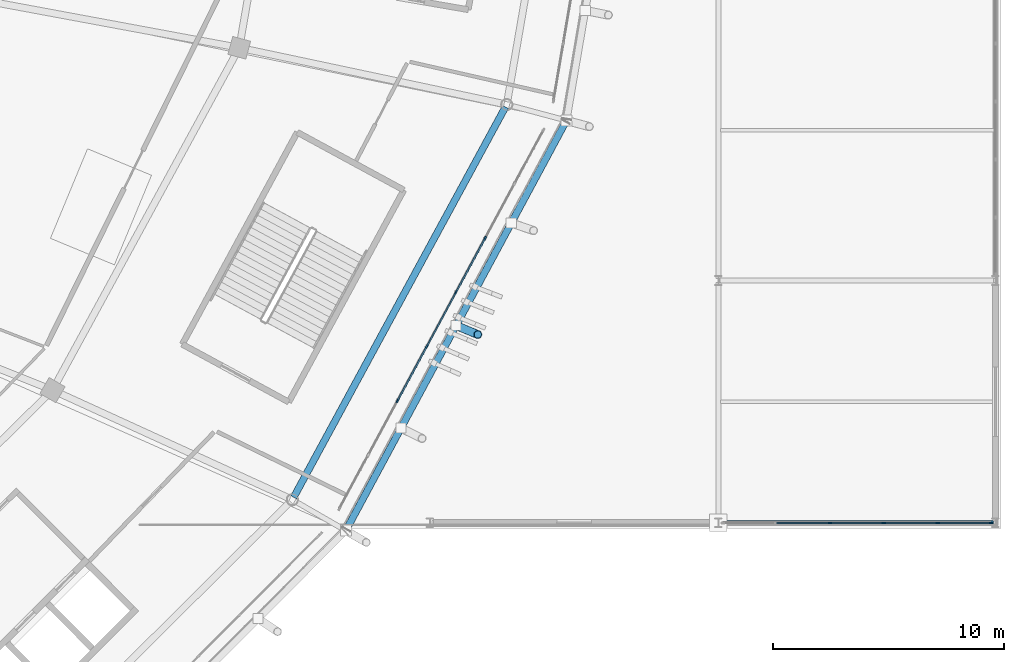
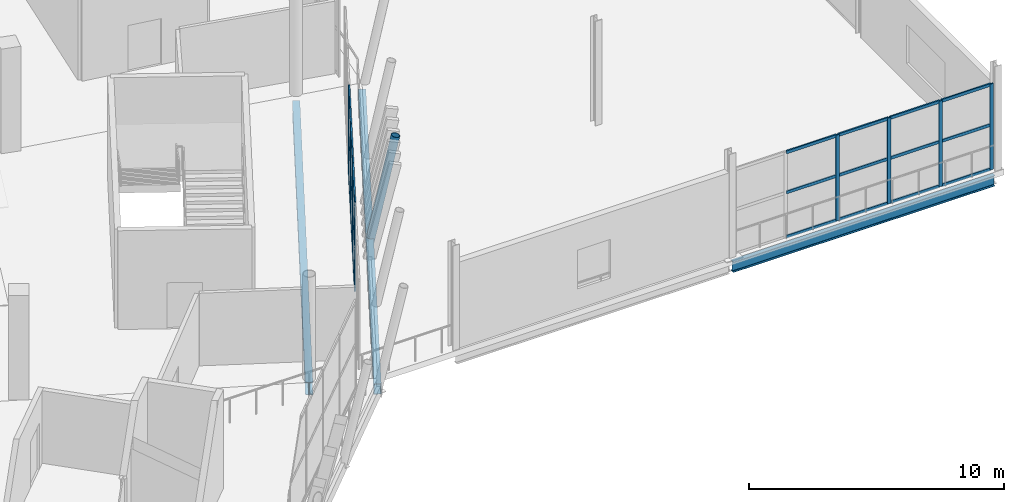
# One storey, part 60 of 179: 30 members, 3 beams, 2 elements without a shape of their own.
"""IFC4 building model written with IfcOpenShell, lengths in metres."""

from ifc_helpers import new_model, si_unit, direction, frame, origin, origin_2d, place, context, subcontext, project, spatial, rectangle, hollow_rectangle, hollow_circle, i_section, extrude, material, material_profile, profile_set, type_object, element, aggregate, save


model = new_model("IFC4")

# Units and contexts
model_context = context("Model", 3, precision=1e-05, world=origin(), true_north=direction((0.0, 1.0)))
body_context = subcontext(model_context, "Body", "Model", "MODEL_VIEW")
ifc_project = project(units=[si_unit("LENGTHUNIT", "METRE"), si_unit("AREAUNIT", "SQUARE_METRE"), si_unit("VOLUMEUNIT", "CUBIC_METRE"), si_unit("PLANEANGLEUNIT", "RADIAN"), si_unit("MASSUNIT", "GRAM", prefix="KILO")], contexts=[model_context])

# Site, building, storey
site_placement = place(None, origin())
site = spatial("IfcSite", under=ifc_project, at=site_placement, CompositionType="ELEMENT")
building_placement = place(site_placement, origin())
building = spatial("IfcBuilding", under=site, at=building_placement, Name="Zlatoyarsky Gate Stadium", CompositionType="ELEMENT")
storey_placement = place(building_placement, frame((0.0, 0.0, 10.60009765625)))
storey = spatial("IfcBuildingStorey", under=building, at=storey_placement, Name="L02", CompositionType="ELEMENT", Elevation=10.60009765625)

# Curtain wall, members
ifc_material_1 = material(Name="Thermally broken anodised aluminium curtain wall", Category="aluminium")
curtain_wall_type_1 = type_object("IfcCurtainWallType", Name="UNITISED HOSPITALITY GLAZING L02", PredefinedType="USERDEFINED", material=ifc_material_1)
curtain_wall_1_placement = place(storey_placement, origin())
curtain_wall_1 = element("IfcCurtainWall", 1, at=curtain_wall_1_placement, inside=storey, type_object=curtain_wall_type_1, Name="Curtain wall CW-L02-22", ObjectType="UNITISED GLAZING", PredefinedType="USERDEFINED")
ifc_material_2 = material(Name="Anodised aluminium 6063-T6", Category="aluminium")
ifc_material_profile_1 = material_profile(ifc_material_2, rectangle(XDim=0.06494140625, YDim=0.159912109375, at=origin_2d()), Name="ALU 65X160")
ifc_profile_set_1 = profile_set([ifc_material_profile_1], Name="Anodised aluminium 6063-T6")
member_type_1 = type_object("IfcMemberType", Name="ALUMINIUM MULLION 65X160", PredefinedType="MULLION", material=ifc_profile_set_1)
member_1_placement = place(storey_placement, frame((196.094482421875, 48.785888671875, 0.0), z_axis=(0.0, 0.0, 1.0), x_axis=(-0.88023705837, 0.474534214859, 0.0)))
member_1 = element("IfcMember", 2, at=member_1_placement, type_object=member_type_1, Name="CW-UG2 mullion 3", PredefinedType="MULLION", context=body_context, shape_type="SweptSolid", body=[
    extrude(rectangle(XDim=0.06494140625, YDim=0.159912109375, at=origin_2d()), origin(), (0.0, 0.0, 1.0), 4.199951171875),
])
member_2_placement = place(storey_placement, frame((197.36181640625, 51.13671875, 0.0), z_axis=(0.0, 0.0, 1.0), x_axis=(-0.88023705837, 0.474534214859, 0.0)))
member_2 = element("IfcMember", 3, at=member_2_placement, type_object=member_type_1, Name="CW-UG2 mullion 4", PredefinedType="MULLION", context=body_context, shape_type="SweptSolid", body=[
    extrude(rectangle(XDim=0.06494140625, YDim=0.159912109375, at=origin_2d()), origin(), (0.0, 0.0, 1.0), 4.199951171875),
])
member_3_placement = place(storey_placement, frame((198.629150390625, 53.487548828125, 0.0), z_axis=(0.0, 0.0, 1.0), x_axis=(-0.88023705837, 0.474534214859, 0.0)))
member_3 = element("IfcMember", 4, at=member_3_placement, type_object=member_type_1, Name="CW-UG2 mullion 5", PredefinedType="MULLION", context=body_context, shape_type="SweptSolid", body=[
    extrude(rectangle(XDim=0.06494140625, YDim=0.159912109375, at=origin_2d()), origin(), (0.0, 0.0, 1.0), 4.199951171875),
])
member_4_placement = place(storey_placement, frame((199.896728515625, 55.83837890625, 0.0), z_axis=(0.0, 0.0, 1.0), x_axis=(-0.88023705837, 0.474534214859, 0.0)))
member_4 = element("IfcMember", 5, at=member_4_placement, type_object=member_type_1, Name="CW-UG2 mullion 6", PredefinedType="MULLION", context=body_context, shape_type="SweptSolid", body=[
    extrude(rectangle(XDim=0.06494140625, YDim=0.159912109375, at=origin_2d()), origin(), (0.0, 0.0, 1.0), 4.199951171875),
])

curtain_wall_type_2 = type_object("IfcCurtainWallType", Name="WINTER GARDEN CONSERVATORY GLAZING", PredefinedType="USERDEFINED", material=ifc_material_1)
curtain_wall_2_placement = place(storey_placement, origin())
curtain_wall_2 = element("IfcCurtainWall", 6, at=curtain_wall_2_placement, inside=storey, type_object=curtain_wall_type_2, Name="Curtain wall CW-V5_EAST-L02-189", ObjectType="UNITISED GLAZING", PredefinedType="USERDEFINED")
member_5_placement = place(storey_placement, frame((214.83251953125, 43.5, 0.0), z_axis=(0.0, 0.0, 1.0), x_axis=(0.0, 1.0, 0.0)))
member_5 = element("IfcMember", 7, at=member_5_placement, type_object=member_type_1, Name="CW-WG1 mullion 3", PredefinedType="MULLION", context=body_context, shape_type="SweptSolid", body=[
    extrude(rectangle(XDim=0.06494140625, YDim=0.159912109375, at=origin_2d()), origin(), (0.0, 0.0, 1.0), 4.099853515625),
])
member_6_placement = place(storey_placement, frame((217.16748046875, 43.5, 0.0), z_axis=(0.0, 0.0, 1.0), x_axis=(0.0, 1.0, 0.0)))
member_6 = element("IfcMember", 8, at=member_6_placement, type_object=member_type_1, Name="CW-WG1 mullion 4", PredefinedType="MULLION", context=body_context, shape_type="SweptSolid", body=[
    extrude(rectangle(XDim=0.06494140625, YDim=0.159912109375, at=origin_2d()), origin(), (0.0, 0.0, 1.0), 4.099853515625),
])
member_7_placement = place(storey_placement, frame((219.502685546875, 43.5, 0.0), z_axis=(0.0, 0.0, 1.0), x_axis=(0.0, 1.0, 0.0)))
member_7 = element("IfcMember", 9, at=member_7_placement, type_object=member_type_1, Name="CW-WG1 mullion 5", PredefinedType="MULLION", context=body_context, shape_type="SweptSolid", body=[
    extrude(rectangle(XDim=0.06494140625, YDim=0.159912109375, at=origin_2d()), origin(), (0.0, 0.0, 1.0), 4.099853515625),
])
member_8_placement = place(storey_placement, frame((221.805419921875, 43.5, 0.0), z_axis=(0.0, 0.0, 1.0), x_axis=(0.0, 1.0, 0.0)))
member_8 = element("IfcMember", 10, at=member_8_placement, type_object=member_type_1, Name="CW-WG1 mullion 6", PredefinedType="MULLION", context=body_context, shape_type="SweptSolid", body=[
    extrude(rectangle(XDim=0.06494140625, YDim=0.159912109375, at=origin_2d()), origin(), (0.0, 0.0, 1.0), 4.099853515625),
])

# Member
ifc_material_profile_2 = material_profile(ifc_material_2, rectangle(XDim=0.06494140625, YDim=0.139892578125, at=origin_2d()), Name="ALU 65X140")
ifc_profile_set_2 = profile_set([ifc_material_profile_2], Name="Anodised aluminium 6063-T6")
member_type_2 = type_object("IfcMemberType", Name="ALUMINIUM TRANSOM 65X140", PredefinedType="USERDEFINED", material=ifc_profile_set_2)
member_9_placement = place(storey_placement, frame((196.110107421875, 48.814453125, 0.032470703125), z_axis=(0.474474132482, 0.880269446025, 0.0), x_axis=(-0.880269446025, 0.474474132482, 0.0)))
member_9 = element("IfcMember", 11, at=member_9_placement, type_object=member_type_2, Name="CW-UG2 transom 3.1", ObjectType="TRANSOM", PredefinedType="USERDEFINED", context=body_context, shape_type="SweptSolid", body=[
    extrude(rectangle(XDim=0.06494140625, YDim=0.139892578125, at=origin_2d()), origin(), (0.0, 0.0, 1.0), 2.605712890625),
])

member_10_placement = place(storey_placement, frame((196.110107421875, 48.814453125, 2.14990234375), z_axis=(0.474474132482, 0.880269446025, 0.0), x_axis=(-0.880269446025, 0.474474132482, 0.0)))
member_10 = element("IfcMember", 12, at=member_10_placement, type_object=member_type_2, Name="CW-UG2 transom 3.2", ObjectType="TRANSOM", PredefinedType="USERDEFINED", context=body_context, shape_type="SweptSolid", body=[
    extrude(rectangle(XDim=0.06494140625, YDim=0.139892578125, at=origin_2d()), origin(), (0.0, 0.0, 1.0), 2.605712890625),
])

member_11_placement = place(storey_placement, frame((196.110107421875, 48.814453125, 4.16748046875), z_axis=(0.474474132482, 0.880269446025, 0.0), x_axis=(-0.880269446025, 0.474474132482, 0.0)))
member_11 = element("IfcMember", 13, at=member_11_placement, type_object=member_type_2, Name="CW-UG2 transom 3.3", ObjectType="TRANSOM", PredefinedType="USERDEFINED", context=body_context, shape_type="SweptSolid", body=[
    extrude(rectangle(XDim=0.06494140625, YDim=0.139892578125, at=origin_2d()), origin(), (0.0, 0.0, 1.0), 2.605712890625),
])

member_12_placement = place(storey_placement, frame((197.37744140625, 51.165283203125, 0.032470703125), z_axis=(0.474474132482, 0.880269446025, 0.0), x_axis=(-0.880269446025, 0.474474132482, 0.0)))
member_12 = element("IfcMember", 14, at=member_12_placement, type_object=member_type_2, Name="CW-UG2 transom 4.1", ObjectType="TRANSOM", PredefinedType="USERDEFINED", context=body_context, shape_type="SweptSolid", body=[
    extrude(rectangle(XDim=0.06494140625, YDim=0.139892578125, at=origin_2d()), origin(), (0.0, 0.0, 1.0), 2.605712890625),
])

member_13_placement = place(storey_placement, frame((197.37744140625, 51.165283203125, 2.14990234375), z_axis=(0.474474132482, 0.880269446025, 0.0), x_axis=(-0.880269446025, 0.474474132482, 0.0)))
member_13 = element("IfcMember", 15, at=member_13_placement, type_object=member_type_2, Name="CW-UG2 transom 4.2", ObjectType="TRANSOM", PredefinedType="USERDEFINED", context=body_context, shape_type="SweptSolid", body=[
    extrude(rectangle(XDim=0.06494140625, YDim=0.139892578125, at=origin_2d()), origin(), (0.0, 0.0, 1.0), 2.605712890625),
])

member_14_placement = place(storey_placement, frame((197.37744140625, 51.165283203125, 4.16748046875), z_axis=(0.474474132482, 0.880269446025, 0.0), x_axis=(-0.880269446025, 0.474474132482, 0.0)))
member_14 = element("IfcMember", 16, at=member_14_placement, type_object=member_type_2, Name="CW-UG2 transom 4.3", ObjectType="TRANSOM", PredefinedType="USERDEFINED", context=body_context, shape_type="SweptSolid", body=[
    extrude(rectangle(XDim=0.06494140625, YDim=0.139892578125, at=origin_2d()), origin(), (0.0, 0.0, 1.0), 2.605712890625),
])

member_15_placement = place(storey_placement, frame((198.644775390625, 53.516357421875, 0.032470703125), z_axis=(0.47451326859, 0.880248350145, 0.0), x_axis=(-0.880248350145, 0.47451326859, 0.0)))
member_15 = element("IfcMember", 17, at=member_15_placement, type_object=member_type_2, Name="CW-UG2 transom 5.1", ObjectType="TRANSOM", PredefinedType="USERDEFINED", context=body_context, shape_type="SweptSolid", body=[
    extrude(rectangle(XDim=0.06494140625, YDim=0.139892578125, at=origin_2d()), origin(), (0.0, 0.0, 1.0), 2.60546875),
])

member_16_placement = place(storey_placement, frame((198.644775390625, 53.516357421875, 2.14990234375), z_axis=(0.47451326859, 0.880248350145, 0.0), x_axis=(-0.880248350145, 0.47451326859, 0.0)))
member_16 = element("IfcMember", 18, at=member_16_placement, type_object=member_type_2, Name="CW-UG2 transom 5.2", ObjectType="TRANSOM", PredefinedType="USERDEFINED", context=body_context, shape_type="SweptSolid", body=[
    extrude(rectangle(XDim=0.06494140625, YDim=0.139892578125, at=origin_2d()), origin(), (0.0, 0.0, 1.0), 2.60546875),
])

member_17_placement = place(storey_placement, frame((198.644775390625, 53.516357421875, 4.16748046875), z_axis=(0.47451326859, 0.880248350145, 0.0), x_axis=(-0.880248350145, 0.47451326859, 0.0)))
member_17 = element("IfcMember", 19, at=member_17_placement, type_object=member_type_2, Name="CW-UG2 transom 5.3", ObjectType="TRANSOM", PredefinedType="USERDEFINED", context=body_context, shape_type="SweptSolid", body=[
    extrude(rectangle(XDim=0.06494140625, YDim=0.139892578125, at=origin_2d()), origin(), (0.0, 0.0, 1.0), 2.60546875),
])

aggregate(curtain_wall_1, [member_1, member_2, member_3, member_4, member_9, member_10, member_11, member_12, member_13, member_14, member_15, member_16, member_17])

member_18_placement = place(storey_placement, frame((212.52978515625, 43.5, 0.032470703125), z_axis=(1.0, 0.0, 0.0), x_axis=(0.0, 1.0, 0.0)))
member_18 = element("IfcMember", 20, at=member_18_placement, type_object=member_type_2, Name="CW-WG1 transom 2.1", ObjectType="TRANSOM", PredefinedType="USERDEFINED", context=body_context, shape_type="SweptSolid", body=[
    extrude(rectangle(XDim=0.06494140625, YDim=0.139892578125, at=origin_2d()), origin(), (0.0, 0.0, 1.0), 2.27001953125),
])

member_19_placement = place(storey_placement, frame((212.52978515625, 43.5, 2.14990234375), z_axis=(1.0, 0.0, 0.0), x_axis=(0.0, 1.0, 0.0)))
member_19 = element("IfcMember", 21, at=member_19_placement, type_object=member_type_2, Name="CW-WG1 transom 2.2", ObjectType="TRANSOM", PredefinedType="USERDEFINED", context=body_context, shape_type="SweptSolid", body=[
    extrude(rectangle(XDim=0.06494140625, YDim=0.139892578125, at=origin_2d()), origin(), (0.0, 0.0, 1.0), 2.27001953125),
])

member_20_placement = place(storey_placement, frame((212.52978515625, 43.5, 4.0673828125), z_axis=(1.0, 0.0, 0.0), x_axis=(0.0, 1.0, 0.0)))
member_20 = element("IfcMember", 22, at=member_20_placement, type_object=member_type_2, Name="CW-WG1 transom 2.3", ObjectType="TRANSOM", PredefinedType="USERDEFINED", context=body_context, shape_type="SweptSolid", body=[
    extrude(rectangle(XDim=0.06494140625, YDim=0.139892578125, at=origin_2d()), origin(), (0.0, 0.0, 1.0), 2.27001953125),
])

member_21_placement = place(storey_placement, frame((214.864990234375, 43.5, 0.032470703125), z_axis=(1.0, 0.0, 0.0), x_axis=(0.0, 1.0, 0.0)))
member_21 = element("IfcMember", 23, at=member_21_placement, type_object=member_type_2, Name="CW-WG1 transom 3.1", ObjectType="TRANSOM", PredefinedType="USERDEFINED", context=body_context, shape_type="SweptSolid", body=[
    extrude(rectangle(XDim=0.06494140625, YDim=0.139892578125, at=origin_2d()), origin(), (0.0, 0.0, 1.0), 2.27001953125),
])

member_22_placement = place(storey_placement, frame((214.864990234375, 43.5, 2.14990234375), z_axis=(1.0, 0.0, 0.0), x_axis=(0.0, 1.0, 0.0)))
member_22 = element("IfcMember", 24, at=member_22_placement, type_object=member_type_2, Name="CW-WG1 transom 3.2", ObjectType="TRANSOM", PredefinedType="USERDEFINED", context=body_context, shape_type="SweptSolid", body=[
    extrude(rectangle(XDim=0.06494140625, YDim=0.139892578125, at=origin_2d()), origin(), (0.0, 0.0, 1.0), 2.27001953125),
])

member_23_placement = place(storey_placement, frame((214.864990234375, 43.5, 4.0673828125), z_axis=(1.0, 0.0, 0.0), x_axis=(0.0, 1.0, 0.0)))
member_23 = element("IfcMember", 25, at=member_23_placement, type_object=member_type_2, Name="CW-WG1 transom 3.3", ObjectType="TRANSOM", PredefinedType="USERDEFINED", context=body_context, shape_type="SweptSolid", body=[
    extrude(rectangle(XDim=0.06494140625, YDim=0.139892578125, at=origin_2d()), origin(), (0.0, 0.0, 1.0), 2.27001953125),
])

member_24_placement = place(storey_placement, frame((217.2001953125, 43.5, 0.032470703125), z_axis=(1.0, 0.0, 0.0), x_axis=(0.0, 1.0, 0.0)))
member_24 = element("IfcMember", 26, at=member_24_placement, type_object=member_type_2, Name="CW-WG1 transom 4.1", ObjectType="TRANSOM", PredefinedType="USERDEFINED", context=body_context, shape_type="SweptSolid", body=[
    extrude(rectangle(XDim=0.06494140625, YDim=0.139892578125, at=origin_2d()), origin(), (0.0, 0.0, 1.0), 2.27001953125),
])

member_25_placement = place(storey_placement, frame((217.2001953125, 43.5, 2.14990234375), z_axis=(1.0, 0.0, 0.0), x_axis=(0.0, 1.0, 0.0)))
member_25 = element("IfcMember", 27, at=member_25_placement, type_object=member_type_2, Name="CW-WG1 transom 4.2", ObjectType="TRANSOM", PredefinedType="USERDEFINED", context=body_context, shape_type="SweptSolid", body=[
    extrude(rectangle(XDim=0.06494140625, YDim=0.139892578125, at=origin_2d()), origin(), (0.0, 0.0, 1.0), 2.27001953125),
])

member_26_placement = place(storey_placement, frame((217.2001953125, 43.5, 4.0673828125), z_axis=(1.0, 0.0, 0.0), x_axis=(0.0, 1.0, 0.0)))
member_26 = element("IfcMember", 28, at=member_26_placement, type_object=member_type_2, Name="CW-WG1 transom 4.3", ObjectType="TRANSOM", PredefinedType="USERDEFINED", context=body_context, shape_type="SweptSolid", body=[
    extrude(rectangle(XDim=0.06494140625, YDim=0.139892578125, at=origin_2d()), origin(), (0.0, 0.0, 1.0), 2.27001953125),
])

member_27_placement = place(storey_placement, frame((219.535400390625, 43.5, 0.032470703125), z_axis=(1.0, 0.0, 0.0), x_axis=(0.0, 1.0, 0.0)))
member_27 = element("IfcMember", 29, at=member_27_placement, type_object=member_type_2, Name="CW-WG1 transom 5.1", ObjectType="TRANSOM", PredefinedType="USERDEFINED", context=body_context, shape_type="SweptSolid", body=[
    extrude(rectangle(XDim=0.06494140625, YDim=0.139892578125, at=origin_2d()), origin(), (0.0, 0.0, 1.0), 2.237548828125),
])

member_28_placement = place(storey_placement, frame((219.535400390625, 43.5, 2.14990234375), z_axis=(1.0, 0.0, 0.0), x_axis=(0.0, 1.0, 0.0)))
member_28 = element("IfcMember", 30, at=member_28_placement, type_object=member_type_2, Name="CW-WG1 transom 5.2", ObjectType="TRANSOM", PredefinedType="USERDEFINED", context=body_context, shape_type="SweptSolid", body=[
    extrude(rectangle(XDim=0.06494140625, YDim=0.139892578125, at=origin_2d()), origin(), (0.0, 0.0, 1.0), 2.237548828125),
])

member_29_placement = place(storey_placement, frame((219.535400390625, 43.5, 4.0673828125), z_axis=(1.0, 0.0, 0.0), x_axis=(0.0, 1.0, 0.0)))
member_29 = element("IfcMember", 31, at=member_29_placement, type_object=member_type_2, Name="CW-WG1 transom 5.3", ObjectType="TRANSOM", PredefinedType="USERDEFINED", context=body_context, shape_type="SweptSolid", body=[
    extrude(rectangle(XDim=0.06494140625, YDim=0.139892578125, at=origin_2d()), origin(), (0.0, 0.0, 1.0), 2.237548828125),
])

aggregate(curtain_wall_2, [member_5, member_6, member_7, member_8, member_18, member_19, member_20, member_21, member_22, member_23, member_24, member_25, member_26, member_27, member_28, member_29])

# Beam
ifc_material_3 = material(Name="Steel S355", Category="steel")
ifc_material_profile_3 = material_profile(ifc_material_3, i_section(OverallWidth=0.199951171875, OverallDepth=0.5, WebThickness=0.01025390625, FlangeThickness=0.01611328125, FilletRadius=0.02099609375, at=origin_2d()), Name="IPE 500")
ifc_profile_set_3 = profile_set([ifc_material_profile_3], Name="Steel S355")
beam_type_1 = type_object("IfcBeamType", Name="STEEL FLOOR BEAM IPE 500", PredefinedType="BEAM", material=ifc_profile_set_3)
beam_1_placement = place(storey_placement, frame((210.080078125, 43.5, -0.530029296875), z_axis=(1.0, 0.0, 0.0), x_axis=(0.0, 1.0, 0.0)))
element("IfcBeam", 32, at=beam_1_placement, inside=storey, type_object=beam_type_1, Name="Beam B-IPE500 BM-L02-WGX-18-E", PredefinedType="BEAM", context=body_context, shape_type="SweptSolid", body=[
    extrude(i_section(OverallWidth=0.199951171875, OverallDepth=0.5, WebThickness=0.01025390625, FlangeThickness=0.01611328125, FilletRadius=0.02099609375, at=origin_2d()), origin(), (0.0, 0.0, 1.0), 11.83984375),
])

# Member
ifc_material_profile_4 = material_profile(ifc_material_3, hollow_circle(Radius=0.177734375, WallThickness=0.02001953125, at=origin_2d()), Name="CHS 355.6X20")
ifc_profile_set_4 = profile_set([ifc_material_profile_4], Name="Steel S355")
member_type_3 = type_object("IfcMemberType", Name="STEEL LEANING RIB RING STRUT CHS 355.6X20", PredefinedType="STRUT", material=ifc_profile_set_4)
member_30_placement = place(storey_placement, frame((198.63671875, 52.046630859375, -0.530029296875), z_axis=(0.184259506666, -0.076316258928, 0.979910334075), x_axis=(0.382655494937, 0.923891104078, 0.0)))
element("IfcMember", 33, at=member_30_placement, inside=storey, type_object=member_type_3, Name="Outward-leaning bowl louvre fin rib L02 22-2", PredefinedType="STRUT", context=body_context, shape_type="SweptSolid", body=[
    extrude(hollow_circle(Radius=0.177734375, WallThickness=0.02001953125, at=origin_2d()), origin(), (0.0, 0.0, 1.0), 5.1025390625),
])

# Beams
ifc_material_profile_5 = material_profile(ifc_material_3, hollow_rectangle(XDim=0.300048828125, YDim=0.5, WallThickness=0.02001953125, at=origin_2d()), Name="RHS 500X300X20")
ifc_profile_set_5 = profile_set([ifc_material_profile_5], Name="Steel S355")
beam_type_2 = type_object("IfcBeamType", Name="STEEL LOUVRE CARRIER SPANDREL RHS 500X300X20", PredefinedType="SPANDREL", material=ifc_profile_set_5)
beam_2_placement = place(storey_placement, frame((193.8671875, 43.1796875, -0.530029296875), z_axis=(0.473711528738, 0.880680071048, 0.0), x_axis=(-0.880680071048, 0.473711528738, 0.0)))
element("IfcBeam", 34, at=beam_2_placement, inside=storey, type_object=beam_type_2, Name="Beam SP-RHS500 BM-L02-SPD-22", PredefinedType="SPANDREL", context=body_context, shape_type="SweptSolid", body=[
    extrude(hollow_rectangle(XDim=0.300048828125, YDim=0.5, WallThickness=0.02001953125, at=origin_2d()), origin(), (0.0, 0.0, 1.0), 20.136962890625),
])
ifc_material_profile_6 = material_profile(ifc_material_3, i_section(OverallWidth=0.300048828125, OverallDepth=0.60009765625, WebThickness=0.015380859375, FlangeThickness=0.030029296875, FilletRadius=0.027099609375, at=origin_2d()), Name="HEB 600")
ifc_profile_set_6 = profile_set([ifc_material_profile_6], Name="Steel S355")
beam_type_3 = type_object("IfcBeamType", Name="STEEL PRIMARY GIRDER HEB 600", PredefinedType="BEAM", material=ifc_profile_set_6)
beam_3_placement = place(storey_placement, frame((191.59765625, 44.60546875, -0.580078125), z_axis=(0.476891650323, 0.878962088973, 0.0), x_axis=(-0.878962088973, 0.476891650323, 0.0)))
element("IfcBeam", 35, at=beam_3_placement, inside=storey, type_object=beam_type_3, Name="Beam G-HEB600 BM-L02-CRC-22", PredefinedType="BEAM", context=body_context, shape_type="SweptSolid", body=[
    extrude(i_section(OverallWidth=0.300048828125, OverallDepth=0.60009765625, WebThickness=0.015380859375, FlangeThickness=0.030029296875, FilletRadius=0.027099609375, at=origin_2d()), origin(), (0.0, 0.0, 1.0), 19.241943359375),
])

save(model, "model.ifc")
